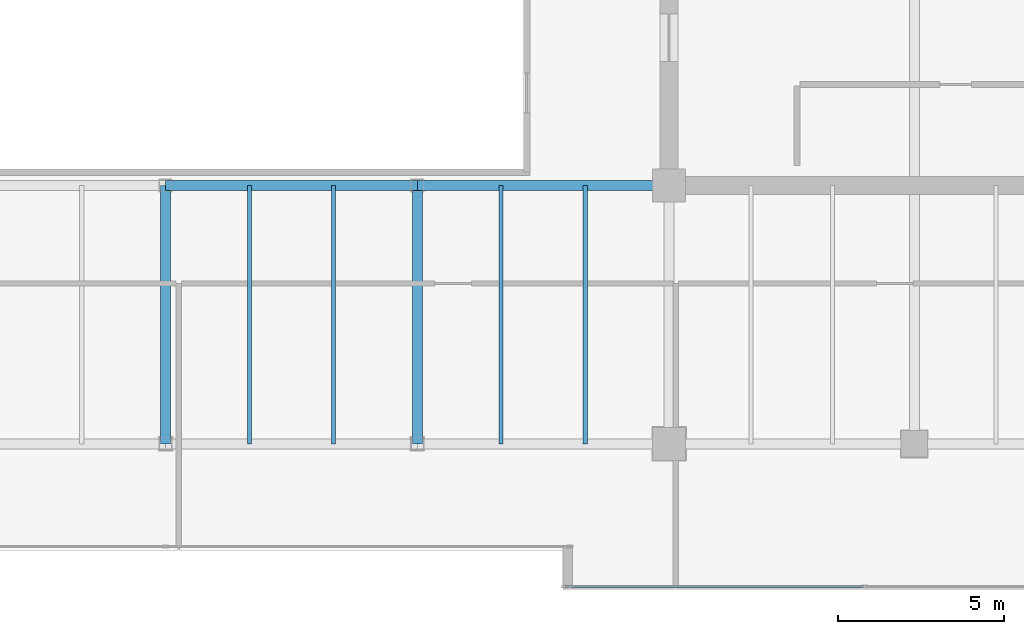
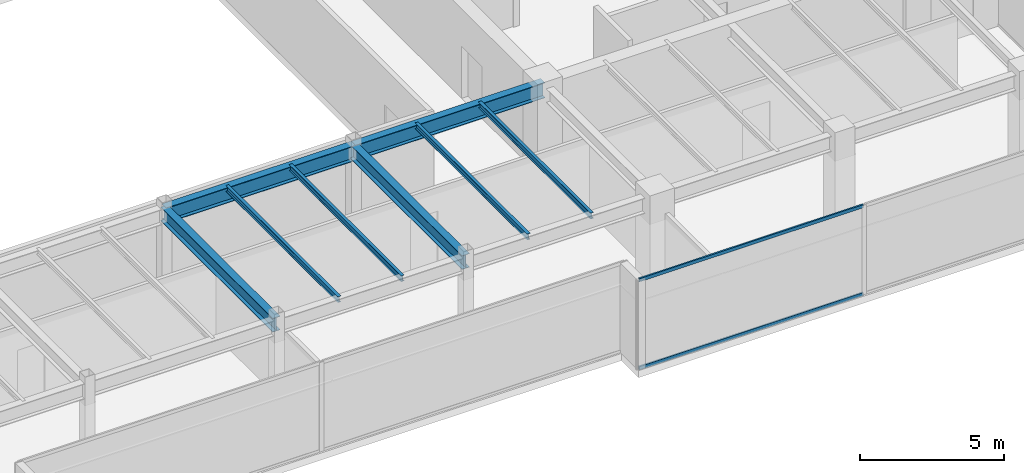
# One storey, part 12 of 36: 8 beams, 2 members, 1 element without a shape of its own.
"""IFC4 building model written with IfcOpenShell, lengths in metres."""

from ifc_helpers import new_model, si_unit, direction, frame, origin, origin_2d, place, context, subcontext, project, spatial, hollow_rectangle, i_section, extrude, source, transform, mapped, material, layer, layer_set, material_profile, profile_set, type_object, type_shapes, element, aggregate, save


model = new_model("IFC4")

# Units and contexts
model_context = context("Model", 3, precision=1e-05, world=origin(), true_north=direction((0.0, 1.0)))
body_context = subcontext(model_context, "Body", "Model", "MODEL_VIEW")
ifc_project = project(units=[si_unit("LENGTHUNIT", "METRE"), si_unit("AREAUNIT", "SQUARE_METRE"), si_unit("VOLUMEUNIT", "CUBIC_METRE"), si_unit("PLANEANGLEUNIT", "RADIAN"), si_unit("MASSUNIT", "GRAM", prefix="KILO")], contexts=[model_context])

# Site, building, storey
site_placement = place(None, origin())
site = spatial("IfcSite", under=ifc_project, at=site_placement, CompositionType="ELEMENT")
building_placement = place(site_placement, origin())
building = spatial("IfcBuilding", under=site, at=building_placement, Name="Haelvirn Gate Laboratories", CompositionType="ELEMENT")
storey_placement = place(building_placement, frame((0.0, 0.0, 262.89990234375)))
storey = spatial("IfcBuildingStorey", under=building, at=storey_placement, Name="L63", CompositionType="ELEMENT", Elevation=262.89990234375)

# Beams
ifc_material_1 = material(Name="Steel SM355", Category="steel")
ifc_material_profile_1 = material_profile(ifc_material_1, i_section(OverallWidth=0.300048828125, OverallDepth=0.587890625, WebThickness=0.011962890625, FlangeThickness=0.02001953125, at=origin_2d()), Name="H-588x300x12x20")
ifc_profile_set_1 = profile_set([ifc_material_profile_1], Name="Steel SM355")
beam_type_1 = type_object("IfcBeamType", Name="BM-G-588", PredefinedType="BEAM", material=ifc_profile_set_1)
shared_shape_1 = source(origin(), body_context, "Body", "SweptSolid", [
    extrude(i_section(OverallWidth=0.300048828125, OverallDepth=0.587890625, WebThickness=0.011962890625, FlangeThickness=0.02001953125, at=origin_2d()), origin(), (0.0, 0.0, 1.0), 7.800048828125),
])
type_shapes(beam_type_1, [shared_shape_1])
for number, where, z_axis, x_axis, name in (
    (1, (37.39990234375, 7.0, 3.506103515625), (0.0, 1.0, 0.0), (-1.0, 0.0, 0.0), "L63 Frame Girder X37.4 (7.0-14.8)"),
    (2, (45.0, 7.0, 3.506103515625), (0.0, 1.0, 0.0), (-1.0, 0.0, 0.0), "L63 Frame Girder X45.0 (7.0-14.8)"),
):
    element("IfcBeam", number, at=place(storey_placement, frame(where, z_axis=z_axis, x_axis=x_axis)), inside=storey, type_object=beam_type_1, Name=name, PredefinedType="BEAM", context=body_context, shape_type="MappedRepresentation", body=[
        mapped(shared_shape_1, transform((0.0, 0.0, 0.0), scale=1.0)),
    ])
ifc_material_profile_2 = material_profile(ifc_material_1, i_section(OverallWidth=0.300048828125, OverallDepth=0.64990234375, WebThickness=0.012939453125, FlangeThickness=0.02197265625, at=origin_2d()), Name="H-650x300x13x22")
ifc_profile_set_2 = profile_set([ifc_material_profile_2], Name="Steel SM355")
beam_type_2 = type_object("IfcBeamType", Name="BM-G-650", PredefinedType="BEAM", material=ifc_profile_set_2)
shared_shape_2 = source(origin(), body_context, "Body", "SweptSolid", [
    extrude(i_section(OverallWidth=0.300048828125, OverallDepth=0.64990234375, WebThickness=0.012939453125, FlangeThickness=0.02197265625, at=origin_2d()), origin(), (0.0, 0.0, 1.0), 7.60009765625),
])
type_shapes(beam_type_2, [shared_shape_2])
for number, where, z_axis, x_axis, name in (
    (3, (37.39990234375, 14.800048828125, 3.47509765625), (1.0, 0.0, 0.0), (0.0, 1.0, 0.0), "L63 Primary Girder Y14.8 (37.4-45.0)"),
    (4, (45.0, 14.800048828125, 3.47509765625), (1.0, 0.0, 0.0), (0.0, 1.0, 0.0), "L63 Primary Girder Y14.8 (45.0-52.6)"),
):
    element("IfcBeam", number, at=place(storey_placement, frame(where, z_axis=z_axis, x_axis=x_axis)), inside=storey, type_object=beam_type_2, Name=name, PredefinedType="BEAM", context=body_context, shape_type="MappedRepresentation", body=[
        mapped(shared_shape_2, transform((0.0, 0.0, 0.0), scale=1.0)),
    ])
ifc_material_profile_3 = material_profile(ifc_material_1, i_section(OverallWidth=0.125, OverallDepth=0.25, WebThickness=0.006103515625, FlangeThickness=0.009033203125, at=origin_2d()), Name="H-250x125x6x9")
ifc_profile_set_3 = profile_set([ifc_material_profile_3], Name="Steel SM355")
beam_type_3 = type_object("IfcBeamType", Name="BM-J-250", PredefinedType="JOIST", material=ifc_profile_set_3)
shared_shape_3 = source(origin(), body_context, "Body", "SweptSolid", [
    extrude(i_section(OverallWidth=0.125, OverallDepth=0.25, WebThickness=0.006103515625, FlangeThickness=0.009033203125, at=origin_2d()), origin(), (0.0, 0.0, 1.0), 7.800048828125),
])
type_shapes(beam_type_3, [shared_shape_3])
for number, where, z_axis, x_axis, name in (
    (5, (39.929931640625, 7.0, 3.675048828125), (0.0, 1.0, 0.0), (-1.0, 0.0, 0.0), "L63 Composite Lab Joist South X39.93"),
    (6, (42.469970703125, 7.0, 3.675048828125), (0.0, 1.0, 0.0), (-1.0, 0.0, 0.0), "L63 Composite Lab Joist South X42.47"),
    (7, (47.530029296875, 7.0, 3.675048828125), (0.0, 1.0, 0.0), (-1.0, 0.0, 0.0), "L63 Composite Lab Joist South X47.53"),
    (8, (50.070068359375, 7.0, 3.675048828125), (0.0, 1.0, 0.0), (-1.0, 0.0, 0.0), "L63 Composite Lab Joist South X50.07"),
):
    element("IfcBeam", number, at=place(storey_placement, frame(where, z_axis=z_axis, x_axis=x_axis)), inside=storey, type_object=beam_type_3, Name=name, PredefinedType="JOIST", context=body_context, shape_type="MappedRepresentation", body=[
        mapped(shared_shape_3, transform((0.0, 0.0, 0.0), scale=1.0)),
    ])

# Curtain wall, members
ifc_material_2 = material(Name="Anodised bronze unitised aluminium & triple low-E glass", Category="aluminium")
ifc_layer = layer(ifc_material_2, 0.176025390625, Name="CW-SYS-4")
ifc_layer_set = layer_set([ifc_layer], Name="Anodised bronze unitised aluminium & triple low-E glass")
curtain_wall_type = type_object("IfcCurtainWallType", Name="CW-SYS-4", PredefinedType="NOTDEFINED", material=ifc_layer_set)
curtain_wall_placement = place(storey_placement, origin())
curtain_wall = element("IfcCurtainWall", 9, at=curtain_wall_placement, inside=storey, type_object=curtain_wall_type, Name="L63 Unitised Curtain Wall CW-L63-P0-E04-1", PredefinedType="NOTDEFINED")
ifc_material_3 = material(Name="Extruded aluminium 6063-T6 (anodised bronze)", Category="aluminium")
ifc_material_profile_4 = material_profile(ifc_material_3, hollow_rectangle(XDim=0.06494140625, YDim=0.139892578125, WallThickness=0.00390625, at=origin_2d()), Name="CWT-140x65x4")
ifc_profile_set_4 = profile_set([ifc_material_profile_4], Name="Extruded aluminium 6063-T6 (anodised bronze)")
member_type = type_object("IfcMemberType", Name="CWT-T140", PredefinedType="USERDEFINED", material=ifc_profile_set_4)
shared_shape_4 = source(origin(), body_context, "Body", "SweptSolid", [
    extrude(hollow_rectangle(XDim=0.06494140625, YDim=0.139892578125, WallThickness=0.00390625, at=origin_2d()), origin(), (0.0, 0.0, 1.0), 8.9951171875),
])
type_shapes(member_type, [shared_shape_4])
member_1_placement = place(storey_placement, frame((49.469970703125, 2.699951171875, 0.03271484375), z_axis=(1.0, 0.0, 0.0), x_axis=(0.0, 1.0, 0.0)))
member_1 = element("IfcMember", 10, at=member_1_placement, type_object=member_type, Name="CW4 transom 1.1", ObjectType="TRANSOM", PredefinedType="USERDEFINED", context=body_context, shape_type="MappedRepresentation", body=[
    mapped(shared_shape_4, transform((0.0, 0.0, 0.0), scale=1.0)),
])
member_2_placement = place(storey_placement, frame((49.469970703125, 2.699951171875, 3.767578125), z_axis=(1.0, 0.0, 0.0), x_axis=(0.0, 1.0, 0.0)))
member_2 = element("IfcMember", 11, at=member_2_placement, type_object=member_type, Name="CW4 transom 1.2", ObjectType="TRANSOM", PredefinedType="USERDEFINED", context=body_context, shape_type="MappedRepresentation", body=[
    mapped(shared_shape_4, transform((0.0, 0.0, 0.0), scale=1.0)),
])
aggregate(curtain_wall, [member_1, member_2])

save(model, "model.ifc")
